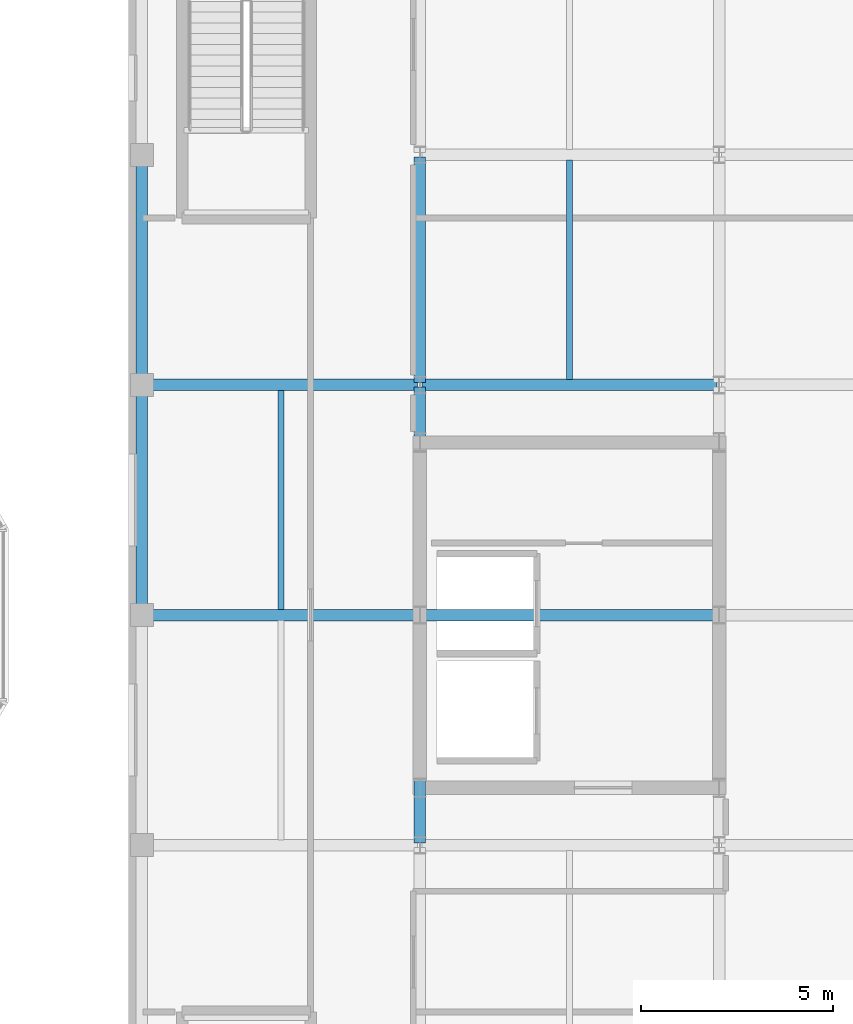
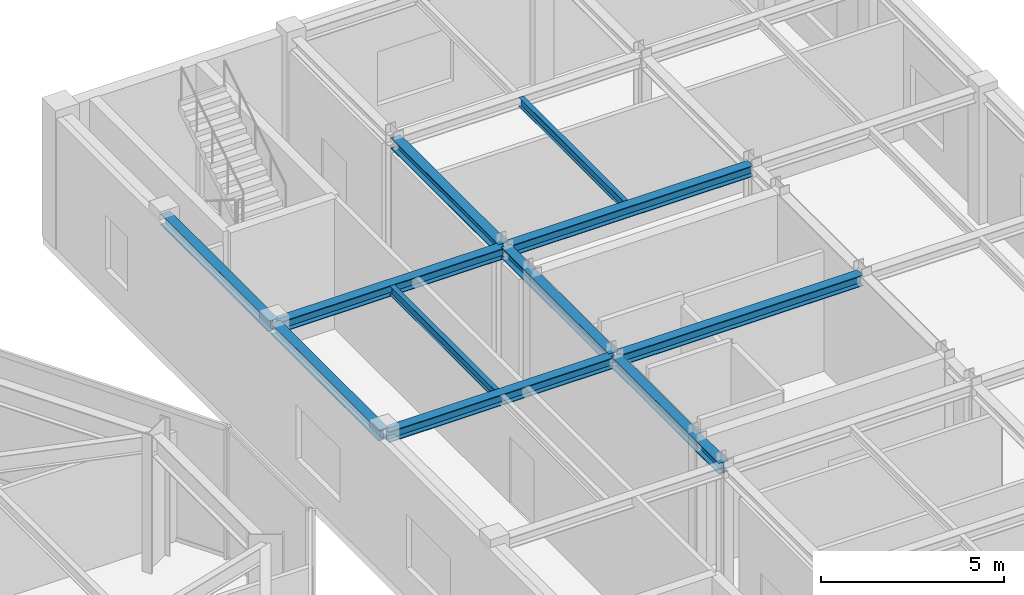
# One storey, part 11 of 22: 11 beams.
"""IFC4 building model written with IfcOpenShell, lengths in metres."""

from ifc_helpers import new_model, si_unit, direction, frame, origin, origin_2d, place, context, subcontext, project, spatial, i_section, extrude, material, material_profile, profile_set, type_object, element, save


model = new_model("IFC4")

# Units and contexts
model_context = context("Model", 3, precision=1e-05, world=origin(), true_north=direction((0.0, 1.0)))
body_context = subcontext(model_context, "Body", "Model", "MODEL_VIEW")
ifc_project = project(units=[si_unit("LENGTHUNIT", "METRE"), si_unit("AREAUNIT", "SQUARE_METRE"), si_unit("VOLUMEUNIT", "CUBIC_METRE"), si_unit("PLANEANGLEUNIT", "RADIAN"), si_unit("MASSUNIT", "GRAM", prefix="KILO")], contexts=[model_context])

# Site, building, storey
site_placement = place(None, origin())
site = spatial("IfcSite", under=ifc_project, at=site_placement, CompositionType="ELEMENT")
building_placement = place(site_placement, origin())
building = spatial("IfcBuilding", under=site, at=building_placement, Name="Kranzbogen Civic Tower", CompositionType="ELEMENT")
storey_placement = place(building_placement, frame((0.0, 0.0, 5.199951171875)))
storey = spatial("IfcBuildingStorey", under=building, at=storey_placement, Name="L01", CompositionType="ELEMENT", Elevation=5.199951171875)

# Beams
ifc_material = material(Name="Steel S355", Category="steel")
ifc_material_profile_1 = material_profile(ifc_material, i_section(OverallWidth=0.300048828125, OverallDepth=0.360107421875, WebThickness=0.012451171875, FlangeThickness=0.0224609375, at=origin_2d()), Name="HEB 360")
ifc_profile_set_1 = profile_set([ifc_material_profile_1], Name="Steel S355")
beam_type_1 = type_object("IfcBeamType", Name="Health Centre Primary Floor Beam HEB 360", PredefinedType="BEAM", material=ifc_profile_set_1)
beam_1_placement = place(storey_placement, frame((52.409912109375, 25.0, 4.16015625), z_axis=(1.0, 0.0, 0.0), x_axis=(0.0, 1.0, 0.0)))
element("IfcBeam", 1, at=beam_1_placement, inside=storey, type_object=beam_type_1, Name="L01 Health Centre X girder 1-4", PredefinedType="BEAM", context=body_context, shape_type="SweptSolid", body=[
    extrude(i_section(OverallWidth=0.300048828125, OverallDepth=0.360107421875, WebThickness=0.012451171875, FlangeThickness=0.0224609375, at=origin_2d()), origin(), (0.0, 0.0, 1.0), 7.130126953125),
])
beam_2_placement = place(storey_placement, frame((59.659912109375, 25.0, 4.16015625), z_axis=(1.0, 0.0, 0.0), x_axis=(0.0, 1.0, 0.0)))
element("IfcBeam", 2, at=beam_2_placement, inside=storey, type_object=beam_type_1, Name="L01 Health Centre X girder 2-4", PredefinedType="BEAM", context=body_context, shape_type="SweptSolid", body=[
    extrude(i_section(OverallWidth=0.300048828125, OverallDepth=0.360107421875, WebThickness=0.012451171875, FlangeThickness=0.0224609375, at=origin_2d()), origin(), (0.0, 0.0, 1.0), 7.68017578125),
])
beam_3_placement = place(storey_placement, frame((52.409912109375, 31.0, 4.16015625), z_axis=(1.0, 0.0, 0.0), x_axis=(0.0, 1.0, 0.0)))
element("IfcBeam", 3, at=beam_3_placement, inside=storey, type_object=beam_type_1, Name="L01 Health Centre X girder 1-5", PredefinedType="BEAM", context=body_context, shape_type="SweptSolid", body=[
    extrude(i_section(OverallWidth=0.300048828125, OverallDepth=0.360107421875, WebThickness=0.012451171875, FlangeThickness=0.0224609375, at=origin_2d()), origin(), (0.0, 0.0, 1.0), 7.130126953125),
])
beam_4_placement = place(storey_placement, frame((59.659912109375, 31.0, 4.16015625), z_axis=(1.0, 0.0, 0.0), x_axis=(0.0, 1.0, 0.0)))
element("IfcBeam", 4, at=beam_4_placement, inside=storey, type_object=beam_type_1, Name="L01 Health Centre X girder 2-5", PredefinedType="BEAM", context=body_context, shape_type="SweptSolid", body=[
    extrude(i_section(OverallWidth=0.300048828125, OverallDepth=0.360107421875, WebThickness=0.012451171875, FlangeThickness=0.0224609375, at=origin_2d()), origin(), (0.0, 0.0, 1.0), 7.68017578125),
])
for number, where, z_axis, x_axis, name in (
    (5, (59.60009765625, 19.06005859375, 4.16015625), (0.0, 1.0, 0.0), (-1.0, 0.0, 0.0), "L01 Health Centre Y girder 2-3"),
    (6, (52.35009765625, 25.06005859375, 4.16015625), (0.0, 1.0, 0.0), (-1.0, 0.0, 0.0), "L01 Health Centre Y girder 1-4"),
    (7, (59.60009765625, 25.06005859375, 4.16015625), (0.0, 1.0, 0.0), (-1.0, 0.0, 0.0), "L01 Health Centre Y girder 2-4"),
    (8, (52.35009765625, 31.06005859375, 4.16015625), (0.0, 1.0, 0.0), (-1.0, 0.0, 0.0), "L01 Health Centre Y girder 1-5"),
    (9, (59.60009765625, 31.06005859375, 4.16015625), (0.0, 1.0, 0.0), (-1.0, 0.0, 0.0), "L01 Health Centre Y girder 2-5"),
):
    element("IfcBeam", number, at=place(storey_placement, frame(where, z_axis=z_axis, x_axis=x_axis)), inside=storey, type_object=beam_type_1, Name=name, PredefinedType="BEAM", context=body_context, shape_type="SweptSolid", body=[
        extrude(i_section(OverallWidth=0.300048828125, OverallDepth=0.360107421875, WebThickness=0.012451171875, FlangeThickness=0.0224609375, at=origin_2d()), origin(), (0.0, 0.0, 1.0), 5.8798828125),
    ])
ifc_material_profile_2 = material_profile(ifc_material, i_section(OverallWidth=0.14990234375, OverallDepth=0.300048828125, WebThickness=0.007080078125, FlangeThickness=0.0107421875, at=origin_2d()), Name="IPE 300")
ifc_profile_set_2 = profile_set([ifc_material_profile_2], Name="Steel S355")
beam_type_2 = type_object("IfcBeamType", Name="Health Centre Secondary Joist IPE 300", PredefinedType="JOIST", material=ifc_profile_set_2)
for number, where, z_axis, x_axis, name in (
    (10, (55.97509765625, 25.139892578125, 4.18994140625), (0.0, 1.0, 0.0), (-1.0, 0.0, 0.0), "L01 Health Centre secondary joist 1-4"),
    (11, (63.5, 31.139892578125, 4.18994140625), (0.0, 1.0, 0.0), (-1.0, 0.0, 0.0), "L01 Health Centre secondary joist 2-5"),
):
    element("IfcBeam", number, at=place(storey_placement, frame(where, z_axis=z_axis, x_axis=x_axis)), inside=storey, type_object=beam_type_2, Name=name, PredefinedType="JOIST", context=body_context, shape_type="SweptSolid", body=[
        extrude(i_section(OverallWidth=0.14990234375, OverallDepth=0.300048828125, WebThickness=0.007080078125, FlangeThickness=0.0107421875, at=origin_2d()), origin(), (0.0, 0.0, 1.0), 5.72021484375),
    ])

save(model, "model.ifc")
